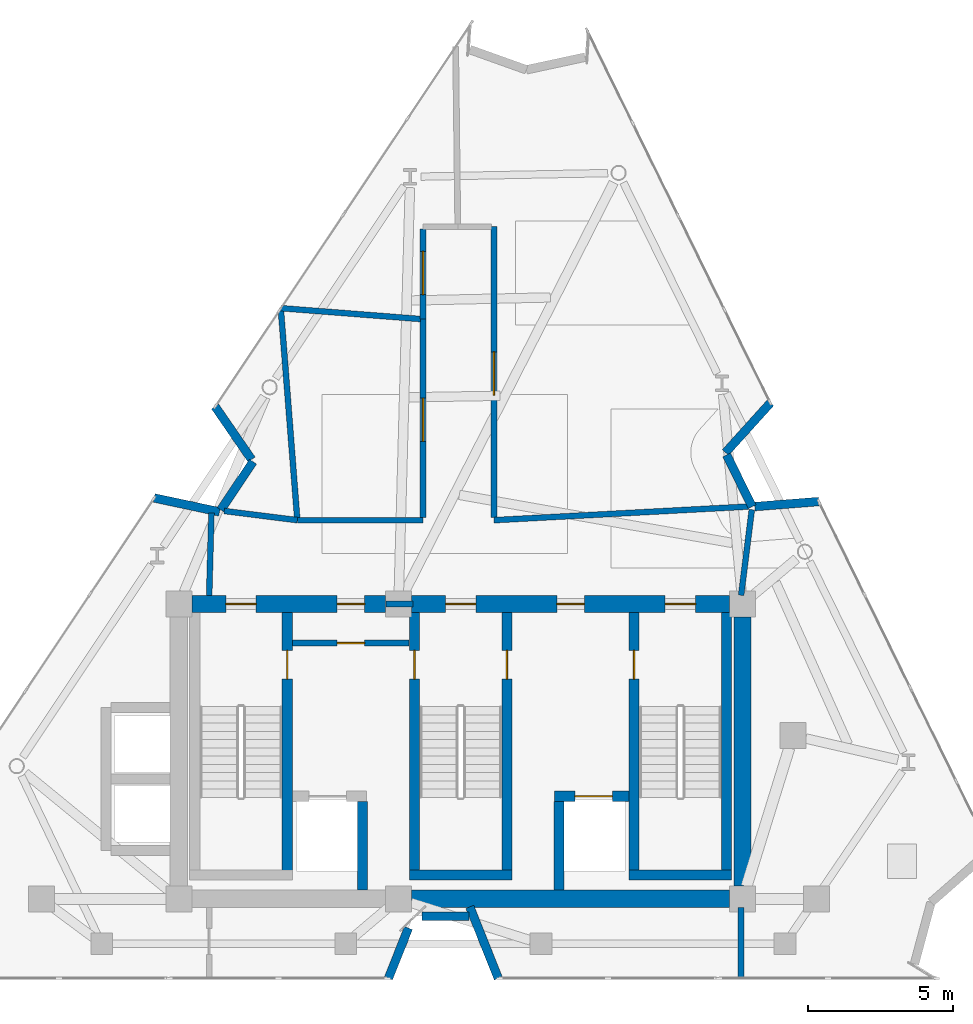
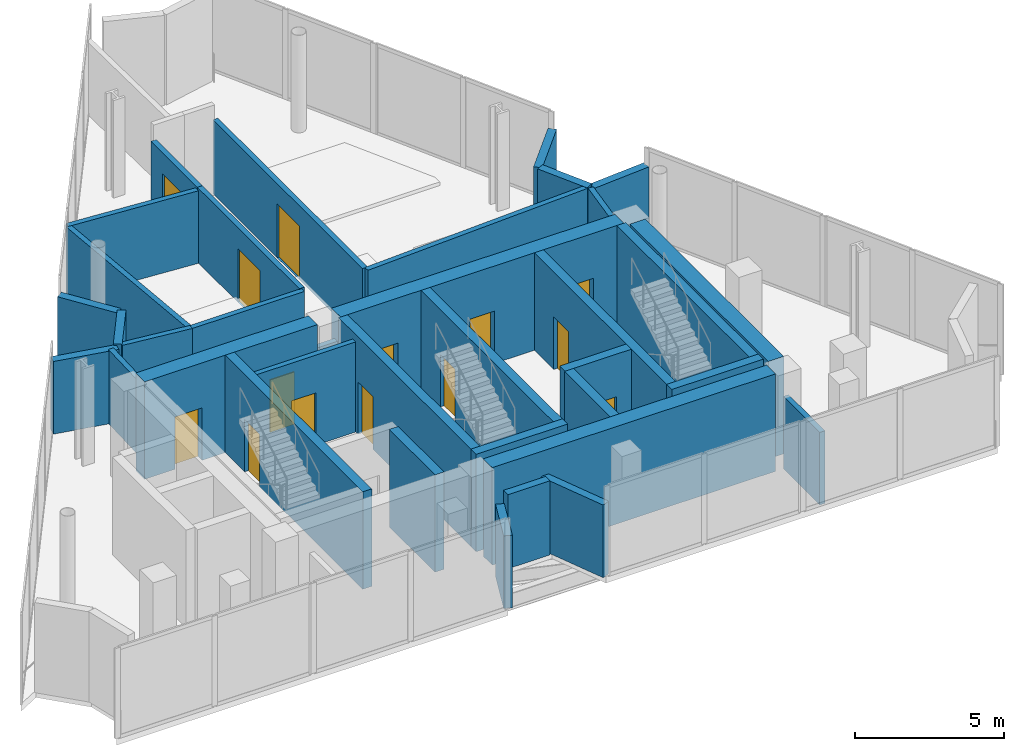
# One storey, part 6 of 9: 36 walls, 14 doors, 14 openings.
"""IFC4 building model written with IfcOpenShell, lengths in metres."""

from ifc_helpers import new_model, si_unit, direction, frame, frame_2d, origin, place, context, subcontext, project, spatial, rectangle, extrude, material, layer, layer_set, type_object, element, fill, save


model = new_model("IFC4")

# Units and contexts
model_context = context("Model", 3, precision=1e-05, world=origin(), true_north=direction((0.0, 1.0)))
body_context = subcontext(model_context, "Body", "Model", "MODEL_VIEW")
ifc_project = project(units=[si_unit("LENGTHUNIT", "METRE"), si_unit("AREAUNIT", "SQUARE_METRE"), si_unit("VOLUMEUNIT", "CUBIC_METRE"), si_unit("PLANEANGLEUNIT", "RADIAN"), si_unit("MASSUNIT", "GRAM", prefix="KILO")], contexts=[model_context])

# Site, building, storey
site_placement = place(None, origin())
site = spatial("IfcSite", under=ifc_project, at=site_placement, CompositionType="ELEMENT")
building_placement = place(site_placement, origin())
building = spatial("IfcBuilding", under=site, at=building_placement, Name="Almagre Mirador Tower", CompositionType="ELEMENT")
storey_placement = place(building_placement, frame((0.0, 0.0, 298.5)))
storey = spatial("IfcBuildingStorey", under=building, at=storey_placement, Name="L77", CompositionType="ELEMENT", Elevation=298.5)

# Walls
ifc_material_1 = material(Name="Precast concrete C50/60", Category="concrete")
ifc_layer_1 = layer(ifc_material_1, 0.300048828125)
ifc_layer_set_1 = layer_set([ifc_layer_1], Name="Precast concrete C50/60")
wall_type_1 = type_object("IfcWallType", Name="WAL-EXT-300", PredefinedType="SOLIDWALL", material=ifc_layer_set_1)
wall_1_placement = place(storey_placement, frame((26.695068359375, 18.419921875, 0.0), z_axis=(0.0, 0.0, 1.0), x_axis=(0.977979629917, -0.208700367675, 0.0)))
element("IfcWall", 1, at=wall_1_placement, inside=storey, type_object=wall_type_1, Name="L77 expressed almagre precast frame wall 01", PredefinedType="SOLIDWALL", context=body_context, shape_type="SweptSolid", body=[
    extrude(rectangle(XDim=2.31396484375, YDim=0.300048828125, at=frame_2d((1.156982421875, 0.0))), origin(), (0.0, 0.0, 1.0), 2.98193359375),
])
wall_2_placement = place(storey_placement, frame((29.00341796875, 18.005126953125, 0.0), z_axis=(0.0, 0.0, 1.0), x_axis=(0.555121061255, 0.831769563852, 0.0)))
element("IfcWall", 2, at=wall_2_placement, inside=storey, type_object=wall_type_1, Name="L77 expressed almagre precast frame wall 02", PredefinedType="SOLIDWALL", context=body_context, shape_type="SweptSolid", body=[
    extrude(rectangle(XDim=2.007568359375, YDim=0.300048828125, at=frame_2d((1.00390625, 0.0))), origin(), (0.0, 0.0, 1.0), 3.0400390625),
])
wall_3_placement = place(storey_placement, frame((30.06689453125, 19.7490234375, 0.0), z_axis=(0.0, 0.0, 1.0), x_axis=(-0.567478945793, 0.823387907418, 0.0)))
element("IfcWall", 3, at=wall_3_placement, inside=storey, type_object=wall_type_1, Name="L77 expressed almagre precast frame wall 03", PredefinedType="SOLIDWALL", context=body_context, shape_type="SweptSolid", body=[
    extrude(rectangle(XDim=2.223876953125, YDim=0.300048828125, at=frame_2d((1.11181640625, 0.0))), origin(), (0.0, 0.0, 1.0), 2.98193359375),
])
wall_4_placement = place(storey_placement, frame((48.011962890625, 21.705078125, 0.0), z_axis=(0.0, 0.0, 1.0), x_axis=(-0.670764114694, -0.741670750697, 0.0)))
element("IfcWall", 4, at=wall_4_placement, inside=storey, type_object=wall_type_1, Name="L77 expressed almagre precast frame wall 06", PredefinedType="SOLIDWALL", context=body_context, shape_type="SweptSolid", body=[
    extrude(rectangle(XDim=2.313720703125, YDim=0.300048828125, at=frame_2d((1.15673828125, 0.0))), origin(), (0.0, 0.0, 1.0), 2.98193359375),
])
wall_5_placement = place(storey_placement, frame((46.499755859375, 19.908203125, 0.0), z_axis=(0.0, 0.0, 1.0), x_axis=(0.441100522221, -0.897457703346, 0.0)))
element("IfcWall", 5, at=wall_5_placement, inside=storey, type_object=wall_type_1, Name="L77 expressed almagre precast frame wall 07", PredefinedType="SOLIDWALL", context=body_context, shape_type="SweptSolid", body=[
    extrude(rectangle(XDim=2.000244140625, YDim=0.300048828125, at=frame_2d((1.0, 0.0))), origin(), (0.0, 0.0, 1.0), 3.0400390625),
])
wall_6_placement = place(storey_placement, frame((47.4716796875, 18.1201171875, 0.0), z_axis=(0.0, 0.0, 1.0), x_axis=(0.99690404097, 0.078627813762, 0.0)))
element("IfcWall", 6, at=wall_6_placement, inside=storey, type_object=wall_type_1, Name="L77 expressed almagre precast frame wall 08", PredefinedType="SOLIDWALL", context=body_context, shape_type="SweptSolid", body=[
    extrude(rectangle(XDim=2.22314453125, YDim=0.300048828125, at=frame_2d((1.111572265625, 0.0))), origin(), (0.0, 0.0, 1.0), 2.98193359375),
])
wall_7_placement = place(storey_placement, frame((38.60009765625, 1.800048828125, 0.0), z_axis=(0.0, 0.0, 1.0), x_axis=(-0.369539725933, 0.929214932595, 0.0)))
element("IfcWall", 7, at=wall_7_placement, inside=storey, type_object=wall_type_1, Name="L77 expressed almagre precast frame wall 11", PredefinedType="SOLIDWALL", context=body_context, shape_type="SweptSolid", body=[
    extrude(rectangle(XDim=2.661865234375, YDim=0.300048828125, at=frame_2d((1.3310546875, 0.0))), origin(), (0.0, 0.0, 1.0), 2.98193359375),
])
wall_8_placement = place(storey_placement, frame((37.580078125, 3.949951171875, 0.0), z_axis=(0.0, 0.0, 1.0), x_axis=(-1.0, 0.0, 0.0)))
element("IfcWall", 8, at=wall_8_placement, inside=storey, type_object=wall_type_1, Name="L77 expressed almagre precast frame wall 12", PredefinedType="SOLIDWALL", context=body_context, shape_type="SweptSolid", body=[
    extrude(rectangle(XDim=1.6201171875, YDim=0.300048828125, at=frame_2d((0.81005859375, 0.0))), origin(), (0.0, 0.0, 1.0), 3.0400390625),
])
wall_9_placement = place(storey_placement, frame((35.49267578125, 3.5419921875, 0.0), z_axis=(0.0, 0.0, 1.0), x_axis=(-0.369481251729, -0.929238185085, 0.0)))
element("IfcWall", 9, at=wall_9_placement, inside=storey, type_object=wall_type_1, Name="L77 expressed almagre precast frame wall 13", PredefinedType="SOLIDWALL", context=body_context, shape_type="SweptSolid", body=[
    extrude(rectangle(XDim=1.87451171875, YDim=0.300048828125, at=frame_2d((0.937255859375, 0.0))), origin(), (0.0, 0.0, 1.0), 2.98193359375),
])
ifc_material_2 = material(Name="Gypsum acoustic stud partition", Category="other")
ifc_layer_2 = layer(ifc_material_2, 0.199951171875)
ifc_layer_set_2 = layer_set([ifc_layer_2], Name="Gypsum acoustic stud partition")
wall_type_2 = type_object("IfcWallType", Name="WAL-PRT-200-EI60", PredefinedType="PARTITIONING", material=ifc_layer_set_2)
wall_10_placement = place(storey_placement, frame((34.719970703125, 14.75, 0.0), z_axis=(0.0, 0.0, 1.0), x_axis=(1.0, 0.0, 0.0)))
element("IfcWall", 10, at=wall_10_placement, inside=storey, type_object=wall_type_2, Name="L77 core north closure wall", PredefinedType="PARTITIONING", context=body_context, shape_type="SweptSolid", body=[
    extrude(rectangle(XDim=0.93505859375, YDim=0.199951171875, at=frame_2d((0.467529296875, 0.0))), origin(), (0.0, 0.0, 1.0), 2.885009765625),
])

# Wall, opening, door
wall_11_placement = place(storey_placement, frame((31.47998046875, 13.39990234375, 0.0), z_axis=(0.0, 0.0, 1.0), x_axis=(1.0, 0.0, 0.0)))
wall_11 = element("IfcWall", 11, at=wall_11_placement, inside=storey, type_object=wall_type_2, Name="L77 FFL-1 north enclosure wall", PredefinedType="PARTITIONING", context=body_context, shape_type="SweptSolid", body=[
    extrude(rectangle(XDim=4.0400390625, YDim=0.199951171875, at=frame_2d((2.02001953125, 0.0))), origin(), (0.0, 0.0, 1.0), 3.699951171875),
])
opening_1_placement = place(wall_11_placement, frame((1.544921875, 0.0, 0.0)))
opening_1 = element("IfcOpeningElement", 12, at=opening_1_placement, cuts=wall_11, Name="Opening ID-02", PredefinedType="OPENING", context=body_context, shape_type="SweptSolid", body=[
    extrude(rectangle(XDim=0.949951171875, YDim=2.14990234375, at=frame_2d((0.47509765625, 1.074951171875))), frame((0.0, 0.110098, 0.0), z_axis=(0.0, -1.0, 0.0), x_axis=(1.0, 0.0, 0.0)), (0.0, 0.0, 1.0), 0.219951),
])
ifc_material_3 = material(Name="Fire-rated walnut timber", Category="wood")
door_type_1 = type_object("IfcDoorType", Name="DOR-FD60-950X2150", OperationType="NOTDEFINED", PredefinedType="DOOR", material=ifc_material_3)
door_1_placement = place(opening_1_placement, origin())
door_1 = element("IfcDoor", 13, at=door_1_placement, inside=storey, type_object=door_type_1, Name="DR-2282 L77 FFL-1 north smoke door", OperationType="SINGLE_SWING_RIGHT", OverallHeight=2.14990234375, OverallWidth=0.949951171875, PredefinedType="DOOR", context=body_context, shape_type="SweptSolid", body=[
    extrude(rectangle(XDim=0.949951171875, YDim=2.14990234375, at=frame_2d((0.47509765625, 1.074951171875))), frame((0.0, 0.02490234375, 0.0), z_axis=(0.0, -1.0, 0.0), x_axis=(1.0, 0.0, 0.0)), (0.0, 0.0, 1.0), 0.050048828125),
])
fill(opening_1, door_1)

# Wall
wall_12_placement = place(storey_placement, frame((31.64990234375, 17.64990234375, 0.0), z_axis=(0.0, 0.0, 1.0), x_axis=(1.0, 0.0, 0.0)))
element("IfcWall", 14, at=wall_12_placement, inside=storey, type_object=wall_type_2, Name="L77 interior partition 001", PredefinedType="PARTITIONING", context=body_context, shape_type="SweptSolid", body=[
    extrude(rectangle(XDim=4.35009765625, YDim=0.199951171875, at=frame_2d((2.175048828125, 0.0))), origin(), (0.0, 0.0, 1.0), 3.034912109375),
])

# Wall, opening, door
wall_13_placement = place(storey_placement, frame((36.0, 17.735107421875, 0.0), z_axis=(0.0, 0.0, 1.0), x_axis=(0.0, 1.0, 0.0)))
wall_13 = element("IfcWall", 15, at=wall_13_placement, inside=storey, type_object=wall_type_2, Name="L77 interior partition 002", PredefinedType="PARTITIONING", context=body_context, shape_type="SweptSolid", body=[
    extrude(rectangle(XDim=6.864990234375, YDim=0.199951171875, at=frame_2d((3.4326171875, 0.0))), origin(), (0.0, 0.0, 1.0), 3.06201171875),
])
opening_2_placement = place(wall_13_placement, frame((2.639892578125, 0.0, 0.0)))
opening_2 = element("IfcOpeningElement", 16, at=opening_2_placement, cuts=wall_13, Name="Opening ID-04", PredefinedType="OPENING", context=body_context, shape_type="SweptSolid", body=[
    extrude(rectangle(XDim=1.5, YDim=2.199951171875, at=frame_2d((0.75, 1.10009765625))), frame((0.0, 0.110098, 0.0), z_axis=(0.0, -1.0, 0.0), x_axis=(1.0, 0.0, 0.0)), (0.0, 0.0, 1.0), 0.219951),
])
ifc_material_4 = material(Name="Fire-rated hollow steel", Category="steel")
door_type_2 = type_object("IfcDoorType", Name="DOR-FD60-1500X2200", OperationType="DOUBLE_DOOR_SINGLE_SWING", PredefinedType="DOOR", material=ifc_material_4)
door_2_placement = place(opening_2_placement, origin())
door_2 = element("IfcDoor", 17, at=door_2_placement, inside=storey, type_object=door_type_2, Name="DR-2287 L77 interior door L77-KPLT1 to L77-KCOR", OperationType="DOUBLE_DOOR_SINGLE_SWING", OverallHeight=2.199951171875, OverallWidth=1.5, PredefinedType="DOOR", context=body_context, shape_type="SweptSolid", body=[
    extrude(rectangle(XDim=1.5, YDim=2.199951171875, at=frame_2d((0.75, 1.10009765625))), frame((0.0, 0.02490234375, 0.0), z_axis=(0.0, -1.0, 0.0), x_axis=(1.0, 0.0, 0.0)), (0.0, 0.0, 1.0), 0.050048828125),
])
fill(opening_2, door_2)

# Walls
wall_14_placement = place(storey_placement, frame((35.915283203125, 24.606689453125, 0.0), z_axis=(0.0, 0.0, 1.0), x_axis=(-0.996990518467, 0.077523584063, 0.0)))
element("IfcWall", 18, at=wall_14_placement, inside=storey, type_object=wall_type_2, Name="L77 interior partition 003", PredefinedType="PARTITIONING", context=body_context, shape_type="SweptSolid", body=[
    extrude(rectangle(XDim=4.85302734375, YDim=0.199951171875, at=frame_2d((2.426513671875, 0.0))), origin(), (0.0, 0.0, 1.0), 2.97705078125),
])
wall_15_placement = place(storey_placement, frame((31.08349609375, 24.898193359375, 0.0), z_axis=(0.0, 0.0, 1.0), x_axis=(0.077909829575, -0.996960409673, 0.0)))
element("IfcWall", 19, at=wall_15_placement, inside=storey, type_object=wall_type_2, Name="L77 interior partition 004", PredefinedType="PARTITIONING", context=body_context, shape_type="SweptSolid", body=[
    extrude(rectangle(XDim=7.185302734375, YDim=0.199951171875, at=frame_2d((3.5927734375, 0.0))), origin(), (0.0, 0.0, 1.0), 2.97705078125),
])
wall_16_placement = place(storey_placement, frame((47.0, 1.800048828125, 0.0), z_axis=(0.0, 0.0, 1.0), x_axis=(0.0, 1.0, 0.0)))
element("IfcWall", 20, at=wall_16_placement, inside=storey, type_object=wall_type_2, Name="L77 interior partition 006", PredefinedType="PARTITIONING", context=body_context, shape_type="SweptSolid", body=[
    extrude(rectangle(XDim=2.449951171875, YDim=0.199951171875, at=frame_2d((1.22509765625, 0.0))), origin(), (0.0, 0.0, 1.0), 2.97705078125),
])
wall_17_placement = place(storey_placement, frame((31.64990234375, 17.64990234375, 0.0), z_axis=(0.0, 0.0, 1.0), x_axis=(-0.992233618203, 0.124388290875, 0.0)))
element("IfcWall", 21, at=wall_17_placement, inside=storey, type_object=wall_type_2, Name="L77 interior partition 007", PredefinedType="PARTITIONING", context=body_context, shape_type="SweptSolid", body=[
    extrude(rectangle(XDim=2.549560546875, YDim=0.199951171875, at=frame_2d((1.27490234375, 0.0))), origin(), (0.0, 0.0, 1.0), 3.034912109375),
])
wall_18_placement = place(storey_placement, frame((28.677978515625, 17.89794921875, 0.0), z_axis=(0.0, 0.0, 1.0), x_axis=(-0.027336543978, -0.999626286851, 0.0)))
element("IfcWall", 22, at=wall_18_placement, inside=storey, type_object=wall_type_2, Name="L77 interior partition 008", PredefinedType="PARTITIONING", context=body_context, shape_type="SweptSolid", body=[
    extrude(rectangle(XDim=2.848876953125, YDim=0.199951171875, at=frame_2d((1.42431640625, 0.0))), origin(), (0.0, 0.0, 1.0), 3.034912109375),
])

# Wall, opening, door
wall_19_placement = place(storey_placement, frame((36.0, 27.715087890625, 0.0), z_axis=(0.0, 0.0, 1.0), x_axis=(0.0, -1.0, 0.0)))
wall_19 = element("IfcWall", 23, at=wall_19_placement, inside=storey, type_object=wall_type_2, Name="L77 interior partition 010", PredefinedType="PARTITIONING", context=body_context, shape_type="SweptSolid", body=[
    extrude(rectangle(XDim=3.114990234375, YDim=0.199951171875, at=frame_2d((1.5576171875, 0.0))), origin(), (0.0, 0.0, 1.0), 3.06201171875),
])
opening_3_placement = place(wall_19_placement, frame((0.764892578125, 0.0, 0.0)))
opening_3 = element("IfcOpeningElement", 24, at=opening_3_placement, cuts=wall_19, Name="Opening ID-04", PredefinedType="OPENING", context=body_context, shape_type="SweptSolid", body=[
    extrude(rectangle(XDim=1.5, YDim=2.199951171875, at=frame_2d((0.75, 1.10009765625))), frame((0.0, 0.110098, 0.0), z_axis=(0.0, -1.0, 0.0), x_axis=(1.0, 0.0, 0.0)), (0.0, 0.0, 1.0), 0.219951),
])
door_3_placement = place(opening_3_placement, origin())
door_3 = element("IfcDoor", 25, at=door_3_placement, inside=storey, type_object=door_type_2, Name="DR-2288 L77 interior door L77-KCOR to L77-KPLT3", OperationType="DOUBLE_DOOR_SINGLE_SWING", OverallHeight=2.199951171875, OverallWidth=1.5, PredefinedType="DOOR", context=body_context, shape_type="SweptSolid", body=[
    extrude(rectangle(XDim=1.5, YDim=2.199951171875, at=frame_2d((0.75, 1.10009765625))), frame((0.0, 0.02490234375, 0.0), z_axis=(0.0, -1.0, 0.0), x_axis=(1.0, 0.0, 0.0)), (0.0, 0.0, 1.0), 0.050048828125),
])
fill(opening_3, door_3)

# Walls
wall_20_placement = place(storey_placement, frame((47.0, 15.050048828125, 0.0), z_axis=(0.0, 0.0, 1.0), x_axis=(0.123914013707, 0.992292959366, 0.0)))
element("IfcWall", 26, at=wall_20_placement, inside=storey, type_object=wall_type_2, Name="L77 interior partition 011", PredefinedType="PARTITIONING", context=body_context, shape_type="SweptSolid", body=[
    extrude(rectangle(XDim=2.98681640625, YDim=0.199951171875, at=frame_2d((1.493408203125, 0.0))), origin(), (0.0, 0.0, 1.0), 3.034912109375),
])
wall_21_placement = place(storey_placement, frame((47.248046875, 18.1201171875, 0.0), z_axis=(0.0, 0.0, 1.0), x_axis=(-0.998574864544, -0.05336890388, 0.0)))
element("IfcWall", 27, at=wall_21_placement, inside=storey, type_object=wall_type_2, Name="L77 interior partition 012", PredefinedType="PARTITIONING", context=body_context, shape_type="SweptSolid", body=[
    extrude(rectangle(XDim=8.810546875, YDim=0.199951171875, at=frame_2d((4.4052734375, 0.0))), origin(), (0.0, 0.0, 1.0), 3.034912109375),
])

# Wall, opening, door
wall_22_placement = place(storey_placement, frame((38.449951171875, 17.735107421875, 0.0), z_axis=(0.0, 0.0, 1.0), x_axis=(0.0, 1.0, 0.0)))
wall_22 = element("IfcWall", 28, at=wall_22_placement, inside=storey, type_object=wall_type_2, Name="L77 interior partition 013", PredefinedType="PARTITIONING", context=body_context, shape_type="SweptSolid", body=[
    extrude(rectangle(XDim=10.06494140625, YDim=0.199951171875, at=frame_2d((5.032470703125, 0.0))), origin(), (0.0, 0.0, 1.0), 3.034912109375),
])
opening_4_placement = place(wall_22_placement, frame((4.239990234375, 0.0, 0.0)))
opening_4 = element("IfcOpeningElement", 29, at=opening_4_placement, cuts=wall_22, Name="Opening ID-04", PredefinedType="OPENING", context=body_context, shape_type="SweptSolid", body=[
    extrude(rectangle(XDim=1.5, YDim=2.199951171875, at=frame_2d((0.75, 1.10009765625))), frame((0.0, 0.110098, 0.0), z_axis=(0.0, -1.0, 0.0), x_axis=(1.0, 0.0, 0.0)), (0.0, 0.0, 1.0), 0.219951),
])
door_4_placement = place(opening_4_placement, origin())
door_4 = element("IfcDoor", 30, at=door_4_placement, inside=storey, type_object=door_type_2, Name="DR-2289 L77 interior door L77-KCOR to L77-KPLT4", OperationType="DOUBLE_DOOR_SINGLE_SWING", OverallHeight=2.199951171875, OverallWidth=1.5, PredefinedType="DOOR", context=body_context, shape_type="SweptSolid", body=[
    extrude(rectangle(XDim=1.5, YDim=2.199951171875, at=frame_2d((0.75, 1.10009765625))), frame((0.0, 0.02490234375, 0.0), z_axis=(0.0, -1.0, 0.0), x_axis=(1.0, 0.0, 0.0)), (0.0, 0.0, 1.0), 0.050048828125),
])
fill(opening_4, door_4)

ifc_material_5 = material(Name="Concrete C60/75", Category="concrete")
ifc_layer_3 = layer(ifc_material_5, 0.35009765625)
ifc_layer_set_3 = layer_set([ifc_layer_3], Name="Concrete C60/75")
wall_type_3 = type_object("IfcWallType", Name="WAL-SHF-350", PredefinedType="SOLIDWALL", material=ifc_layer_set_3)
wall_23_placement = place(storey_placement, frame((31.300048828125, 5.199951171875, 0.0), z_axis=(0.0, 0.0, 1.0), x_axis=(0.0, 1.0, 0.0)))
wall_23 = element("IfcWall", 31, at=wall_23_placement, inside=storey, type_object=wall_type_3, Name="L77 shaft wall ST1-E", PredefinedType="SOLIDWALL", context=body_context, shape_type="SweptSolid", body=[
    extrude(rectangle(XDim=9.25, YDim=0.35009765625, at=frame_2d((4.625, 0.0))), origin(), (0.0, 0.0, 1.0), 4.0),
])
opening_5_placement = place(wall_23_placement, frame((6.949951171875, 0.0, 0.0)))
opening_5 = element("IfcOpeningElement", 32, at=opening_5_placement, cuts=wall_23, Name="Opening FD-01", PredefinedType="OPENING", context=body_context, shape_type="SweptSolid", body=[
    extrude(rectangle(XDim=1.0, YDim=2.14990234375, at=frame_2d((0.5, 1.074951171875))), frame((0.0, 0.185049, 0.0), z_axis=(0.0, -1.0, 0.0), x_axis=(1.0, 0.0, 0.0)), (0.0, 0.0, 1.0), 0.370098),
])
ifc_material_6 = material(Name="Fire-rated hollow steel", Category="steel")
door_type_3 = type_object("IfcDoorType", Name="DOR-FFL-1000X2150", OperationType="NOTDEFINED", PredefinedType="DOOR", material=ifc_material_6)
door_5_placement = place(opening_5_placement, origin())
door_5 = element("IfcDoor", 33, at=door_5_placement, inside=storey, type_object=door_type_3, Name="DR-2283 L77 FFL1-ST1 smokeproof door", OperationType="SINGLE_SWING_RIGHT", OverallHeight=2.14990234375, OverallWidth=1.0, PredefinedType="DOOR", context=body_context, shape_type="SweptSolid", body=[
    extrude(rectangle(XDim=1.0, YDim=2.14990234375, at=frame_2d((0.5, 1.074951171875))), frame((0.0, 0.02490234375, 0.0), z_axis=(0.0, -1.0, 0.0), x_axis=(1.0, 0.0, 0.0)), (0.0, 0.0, 1.0), 0.050048828125),
])
fill(opening_5, door_5)

wall_24_placement = place(storey_placement, frame((35.699951171875, 5.199951171875, 0.0), z_axis=(0.0, 0.0, 1.0), x_axis=(0.0, 1.0, 0.0)))
wall_24 = element("IfcWall", 34, at=wall_24_placement, inside=storey, type_object=wall_type_3, Name="L77 shaft wall ST2-W", PredefinedType="SOLIDWALL", context=body_context, shape_type="SweptSolid", body=[
    extrude(rectangle(XDim=9.25, YDim=0.35009765625, at=frame_2d((4.625, 0.0))), origin(), (0.0, 0.0, 1.0), 4.0),
])
opening_6_placement = place(wall_24_placement, frame((6.949951171875, 0.0, 0.0)))
opening_6 = element("IfcOpeningElement", 35, at=opening_6_placement, cuts=wall_24, Name="Opening FD-01", PredefinedType="OPENING", context=body_context, shape_type="SweptSolid", body=[
    extrude(rectangle(XDim=1.0, YDim=2.14990234375, at=frame_2d((0.5, 1.074951171875))), frame((0.0, 0.185049, 0.0), z_axis=(0.0, -1.0, 0.0), x_axis=(1.0, 0.0, 0.0)), (0.0, 0.0, 1.0), 0.370098),
])
door_6_placement = place(opening_6_placement, origin())
door_6 = element("IfcDoor", 36, at=door_6_placement, inside=storey, type_object=door_type_3, Name="DR-2284 L77 FFL1-ST2 smokeproof door", OperationType="SINGLE_SWING_LEFT", OverallHeight=2.14990234375, OverallWidth=1.0, PredefinedType="DOOR", context=body_context, shape_type="SweptSolid", body=[
    extrude(rectangle(XDim=1.0, YDim=2.14990234375, at=frame_2d((0.5, 1.074951171875))), frame((0.0, 0.02490234375, 0.0), z_axis=(0.0, -1.0, 0.0), x_axis=(1.0, 0.0, 0.0)), (0.0, 0.0, 1.0), 0.050048828125),
])
fill(opening_6, door_6)

wall_25_placement = place(storey_placement, frame((38.89990234375, 5.199951171875, 0.0), z_axis=(0.0, 0.0, 1.0), x_axis=(0.0, 1.0, 0.0)))
wall_25 = element("IfcWall", 37, at=wall_25_placement, inside=storey, type_object=wall_type_3, Name="L77 shaft wall ST2-E", PredefinedType="SOLIDWALL", context=body_context, shape_type="SweptSolid", body=[
    extrude(rectangle(XDim=9.25, YDim=0.35009765625, at=frame_2d((4.625, 0.0))), origin(), (0.0, 0.0, 1.0), 4.0),
])
opening_7_placement = place(wall_25_placement, frame((6.949951171875, 0.0, 0.0)))
opening_7 = element("IfcOpeningElement", 38, at=opening_7_placement, cuts=wall_25, Name="Opening FD-01", PredefinedType="OPENING", context=body_context, shape_type="SweptSolid", body=[
    extrude(rectangle(XDim=1.0, YDim=2.14990234375, at=frame_2d((0.5, 1.074951171875))), frame((0.0, 0.185049, 0.0), z_axis=(0.0, -1.0, 0.0), x_axis=(1.0, 0.0, 0.0)), (0.0, 0.0, 1.0), 0.370098),
])
door_7_placement = place(opening_7_placement, origin())
door_7 = element("IfcDoor", 39, at=door_7_placement, inside=storey, type_object=door_type_3, Name="DR-2285 L77 FFL2-ST2 smokeproof door", OperationType="SINGLE_SWING_RIGHT", OverallHeight=2.14990234375, OverallWidth=1.0, PredefinedType="DOOR", context=body_context, shape_type="SweptSolid", body=[
    extrude(rectangle(XDim=1.0, YDim=2.14990234375, at=frame_2d((0.5, 1.074951171875))), frame((0.0, 0.02490234375, 0.0), z_axis=(0.0, -1.0, 0.0), x_axis=(1.0, 0.0, 0.0)), (0.0, 0.0, 1.0), 0.050048828125),
])
fill(opening_7, door_7)

# Wall
wall_26_placement = place(storey_placement, frame((35.52490234375, 5.375, 0.0), z_axis=(0.0, 0.0, 1.0), x_axis=(1.0, 0.0, 0.0)))
element("IfcWall", 40, at=wall_26_placement, inside=storey, type_object=wall_type_3, Name="L77 shaft wall ST2-S", PredefinedType="SOLIDWALL", context=body_context, shape_type="SweptSolid", body=[
    extrude(rectangle(XDim=3.550048828125, YDim=0.35009765625, at=frame_2d((1.77490234375, 0.0))), origin(), (0.0, 0.0, 1.0), 4.0),
])

# Wall, opening, door
wall_27_placement = place(storey_placement, frame((43.300048828125, 5.199951171875, 0.0), z_axis=(0.0, 0.0, 1.0), x_axis=(0.0, 1.0, 0.0)))
wall_27 = element("IfcWall", 41, at=wall_27_placement, inside=storey, type_object=wall_type_3, Name="L77 shaft wall ST3-W", PredefinedType="SOLIDWALL", context=body_context, shape_type="SweptSolid", body=[
    extrude(rectangle(XDim=9.25, YDim=0.35009765625, at=frame_2d((4.625, 0.0))), origin(), (0.0, 0.0, 1.0), 4.0),
])
opening_8_placement = place(wall_27_placement, frame((6.949951171875, 0.0, 0.0)))
opening_8 = element("IfcOpeningElement", 42, at=opening_8_placement, cuts=wall_27, Name="Opening FD-01", PredefinedType="OPENING", context=body_context, shape_type="SweptSolid", body=[
    extrude(rectangle(XDim=1.0, YDim=2.14990234375, at=frame_2d((0.5, 1.074951171875))), frame((0.0, 0.185049, 0.0), z_axis=(0.0, -1.0, 0.0), x_axis=(1.0, 0.0, 0.0)), (0.0, 0.0, 1.0), 0.370098),
])
door_8_placement = place(opening_8_placement, origin())
door_8 = element("IfcDoor", 43, at=door_8_placement, inside=storey, type_object=door_type_3, Name="DR-2286 L77 FFL2-ST3 smokeproof door", OperationType="SINGLE_SWING_LEFT", OverallHeight=2.14990234375, OverallWidth=1.0, PredefinedType="DOOR", context=body_context, shape_type="SweptSolid", body=[
    extrude(rectangle(XDim=1.0, YDim=2.14990234375, at=frame_2d((0.5, 1.074951171875))), frame((0.0, 0.02490234375, 0.0), z_axis=(0.0, -1.0, 0.0), x_axis=(1.0, 0.0, 0.0)), (0.0, 0.0, 1.0), 0.050048828125),
])
fill(opening_8, door_8)

# Walls
wall_28_placement = place(storey_placement, frame((46.5, 5.199951171875, 0.0), z_axis=(0.0, 0.0, 1.0), x_axis=(0.0, 1.0, 0.0)))
element("IfcWall", 44, at=wall_28_placement, inside=storey, type_object=wall_type_3, Name="L77 shaft wall ST3-E", PredefinedType="SOLIDWALL", context=body_context, shape_type="SweptSolid", body=[
    extrude(rectangle(XDim=9.25, YDim=0.35009765625, at=frame_2d((4.625, 0.0))), origin(), (0.0, 0.0, 1.0), 4.0),
])
wall_29_placement = place(storey_placement, frame((43.125, 5.375, 0.0), z_axis=(0.0, 0.0, 1.0), x_axis=(1.0, 0.0, 0.0)))
element("IfcWall", 45, at=wall_29_placement, inside=storey, type_object=wall_type_3, Name="L77 shaft wall ST3-S", PredefinedType="SOLIDWALL", context=body_context, shape_type="SweptSolid", body=[
    extrude(rectangle(XDim=3.550048828125, YDim=0.35009765625, at=frame_2d((1.77490234375, 0.0))), origin(), (0.0, 0.0, 1.0), 4.0),
])

# Wall, opening, door
wall_30_placement = place(storey_placement, frame((40.550048828125, 8.10009765625, 0.0), z_axis=(0.0, 0.0, 1.0), x_axis=(1.0, 0.0, 0.0)))
wall_30 = element("IfcWall", 46, at=wall_30_placement, inside=storey, type_object=wall_type_3, Name="L77 shaft wall FSAE2-N", PredefinedType="SOLIDWALL", context=body_context, shape_type="SweptSolid", body=[
    extrude(rectangle(XDim=2.574951171875, YDim=0.35009765625, at=frame_2d((1.28759765625, 0.0))), origin(), (0.0, 0.0, 1.0), 4.0),
])
opening_9_placement = place(wall_30_placement, frame((0.699951171875, 0.0, 0.0)))
opening_9 = element("IfcOpeningElement", 47, at=opening_9_placement, cuts=wall_30, Name="Opening LD-03", PredefinedType="OPENING", context=body_context, shape_type="SweptSolid", body=[
    extrude(rectangle(XDim=1.300048828125, YDim=2.25, at=frame_2d((0.64990234375, 1.125))), frame((0.0, 0.185049, 0.0), z_axis=(0.0, -1.0, 0.0), x_axis=(1.0, 0.0, 0.0)), (0.0, 0.0, 1.0), 0.370098),
])
ifc_material_7 = material(Name="Hollow stainless steel", Category="steel")
door_type_4 = type_object("IfcDoorType", Name="DOR-LD-1300X2250", OperationType="DOUBLE_DOOR_SLIDING", PredefinedType="DOOR", material=ifc_material_7)
door_9_placement = place(opening_9_placement, origin())
door_9 = element("IfcDoor", 48, at=door_9_placement, inside=storey, type_object=door_type_4, Name="DR-2292 L77 FSAE-2 lift landing door", OperationType="DOUBLE_DOOR_SLIDING", OverallHeight=2.25, OverallWidth=1.300048828125, PredefinedType="DOOR", context=body_context, shape_type="SweptSolid", body=[
    extrude(rectangle(XDim=1.300048828125, YDim=2.25, at=frame_2d((0.64990234375, 1.125))), frame((0.0, 0.02490234375, 0.0), z_axis=(0.0, -1.0, 0.0), x_axis=(1.0, 0.0, 0.0)), (0.0, 0.0, 1.0), 0.050048828125),
])
fill(opening_9, door_9)

# Walls
for number, where, z_axis, x_axis, name in (
    (49, (33.89990234375, 4.85009765625, 0.0), (0.0, 0.0, 1.0), (0.0, 1.0, 0.0), "L77 shaft wall FSAE1-E"),
    (50, (40.699951171875, 4.85009765625, 0.0), (0.0, 0.0, 1.0), (0.0, 1.0, 0.0), "L77 shaft wall FSAE2-W"),
):
    element("IfcWall", number, at=place(storey_placement, frame(where, z_axis=z_axis, x_axis=x_axis)), inside=storey, type_object=wall_type_3, Name=name, PredefinedType="SOLIDWALL", context=body_context, shape_type="SweptSolid", body=[
        extrude(rectangle(XDim=3.074951171875, YDim=0.35009765625, at=frame_2d((1.53759765625, 0.0))), origin(), (0.0, 0.0, 1.0), 4.0),
    ])
ifc_material_8 = material(Name="Concrete C60/75", Category="concrete")
ifc_layer_4 = layer(ifc_material_8, 0.60009765625)
ifc_layer_set_4 = layer_set([ifc_layer_4], Name="Concrete C60/75")
wall_type_4 = type_object("IfcWallType", Name="WAL-SHR-600", PredefinedType="SHEAR", material=ifc_layer_set_4)
wall_31_placement = place(storey_placement, frame((35.60009765625, 4.550048828125, 0.0), z_axis=(0.0, 0.0, 1.0), x_axis=(1.0, 0.0, 0.0)))
element("IfcWall", 51, at=wall_31_placement, inside=storey, type_object=wall_type_4, Name="L77 core shear wall S2", PredefinedType="SHEAR", context=body_context, shape_type="SweptSolid", body=[
    extrude(rectangle(XDim=11.0, YDim=0.60009765625, at=frame_2d((5.5, 0.0))), origin(), (0.0, 0.0, 1.0), 4.0),
])

# Wall, openings, doors
wall_32_placement = place(storey_placement, frame((28.0, 14.75, 0.0), z_axis=(0.0, 0.0, 1.0), x_axis=(1.0, 0.0, 0.0)))
wall_32 = element("IfcWall", 52, at=wall_32_placement, inside=storey, type_object=wall_type_4, Name="L77 core shear wall N1", PredefinedType="SHEAR", context=body_context, shape_type="SweptSolid", body=[
    extrude(rectangle(XDim=6.699951171875, YDim=0.60009765625, at=frame_2d((3.35009765625, 0.0))), origin(), (0.0, 0.0, 1.0), 4.0),
])
opening_10_placement = place(wall_32_placement, frame((1.175048828125, 0.0, 0.0)))
opening_10 = element("IfcOpeningElement", 53, at=opening_10_placement, cuts=wall_32, Name="Opening SD-01", PredefinedType="OPENING", context=body_context, shape_type="SweptSolid", body=[
    extrude(rectangle(XDim=1.050048828125, YDim=2.14990234375, at=frame_2d((0.52490234375, 1.074951171875))), frame((0.0, 0.310049, 0.0), z_axis=(0.0, -1.0, 0.0), x_axis=(1.0, 0.0, 0.0)), (0.0, 0.0, 1.0), 0.620098),
])
opening_11_placement = place(wall_32_placement, frame((5.02490234375, 0.0, 0.0)))
opening_11 = element("IfcOpeningElement", 54, at=opening_11_placement, cuts=wall_32, Name="Opening FD-02", PredefinedType="OPENING", context=body_context, shape_type="SweptSolid", body=[
    extrude(rectangle(XDim=0.949951171875, YDim=2.14990234375, at=frame_2d((0.47509765625, 1.074951171875))), frame((0.0, 0.310049, 0.0), z_axis=(0.0, -1.0, 0.0), x_axis=(1.0, 0.0, 0.0)), (0.0, 0.0, 1.0), 0.620098),
])
ifc_material_9 = material(Name="Fire-rated hollow steel", Category="steel")
door_type_5 = type_object("IfcDoorType", Name="DOR-FD90-950X2150", OperationType="NOTDEFINED", PredefinedType="DOOR", material=ifc_material_9)
door_10_placement = place(opening_11_placement, origin())
door_10 = element("IfcDoor", 55, at=door_10_placement, inside=storey, type_object=door_type_5, Name="DR-2281 L77 core equipment room north door", OperationType="SINGLE_SWING_LEFT", OverallHeight=2.14990234375, OverallWidth=0.949951171875, PredefinedType="DOOR", context=body_context, shape_type="SweptSolid", body=[
    extrude(rectangle(XDim=0.949951171875, YDim=2.14990234375, at=frame_2d((0.47509765625, 1.074951171875))), frame((0.0, 0.02490234375, 0.0), z_axis=(0.0, -1.0, 0.0), x_axis=(1.0, 0.0, 0.0)), (0.0, 0.0, 1.0), 0.050048828125),
])
fill(opening_11, door_10)
ifc_material_10 = material(Name="Fire-rated hollow steel", Category="steel")
door_type_6 = type_object("IfcDoorType", Name="DOR-ST-1050X2150", OperationType="NOTDEFINED", PredefinedType="DOOR", material=ifc_material_10)
door_11_placement = place(opening_10_placement, origin())
door_11 = element("IfcDoor", 56, at=door_11_placement, inside=storey, type_object=door_type_6, Name="DR-2293 L77 protected exit stair ST-1 door", OperationType="SINGLE_SWING_LEFT", OverallHeight=2.14990234375, OverallWidth=1.050048828125, PredefinedType="DOOR", context=body_context, shape_type="SweptSolid", body=[
    extrude(rectangle(XDim=1.050048828125, YDim=2.14990234375, at=frame_2d((0.52490234375, 1.074951171875))), frame((0.0, 0.02490234375, 0.0), z_axis=(0.0, -1.0, 0.0), x_axis=(1.0, 0.0, 0.0)), (0.0, 0.0, 1.0), 0.050048828125),
])
fill(opening_10, door_11)

wall_33_placement = place(storey_placement, frame((35.60009765625, 14.75, 0.0), z_axis=(0.0, 0.0, 1.0), x_axis=(1.0, 0.0, 0.0)))
wall_33 = element("IfcWall", 57, at=wall_33_placement, inside=storey, type_object=wall_type_4, Name="L77 core shear wall N2", PredefinedType="SHEAR", context=body_context, shape_type="SweptSolid", body=[
    extrude(rectangle(XDim=11.0, YDim=0.60009765625, at=frame_2d((5.5, 0.0))), origin(), (0.0, 0.0, 1.0), 4.0),
])
opening_12_placement = place(wall_33_placement, frame((1.175048828125, 0.0, 0.0)))
opening_12 = element("IfcOpeningElement", 58, at=opening_12_placement, cuts=wall_33, Name="Opening SD-01", PredefinedType="OPENING", context=body_context, shape_type="SweptSolid", body=[
    extrude(rectangle(XDim=1.050048828125, YDim=2.14990234375, at=frame_2d((0.52490234375, 1.074951171875))), frame((0.0, 0.310049, 0.0), z_axis=(0.0, -1.0, 0.0), x_axis=(1.0, 0.0, 0.0)), (0.0, 0.0, 1.0), 0.620098),
])
opening_13_placement = place(wall_33_placement, frame((8.77490234375, 0.0, 0.0)))
opening_13 = element("IfcOpeningElement", 59, at=opening_13_placement, cuts=wall_33, Name="Opening SD-01", PredefinedType="OPENING", context=body_context, shape_type="SweptSolid", body=[
    extrude(rectangle(XDim=1.050048828125, YDim=2.14990234375, at=frame_2d((0.52490234375, 1.074951171875))), frame((0.0, 0.310049, 0.0), z_axis=(0.0, -1.0, 0.0), x_axis=(1.0, 0.0, 0.0)), (0.0, 0.0, 1.0), 0.620098),
])
opening_14_placement = place(wall_33_placement, frame((5.02490234375, 0.0, 0.0)))
opening_14 = element("IfcOpeningElement", 60, at=opening_14_placement, cuts=wall_33, Name="Opening FD-02", PredefinedType="OPENING", context=body_context, shape_type="SweptSolid", body=[
    extrude(rectangle(XDim=0.949951171875, YDim=2.14990234375, at=frame_2d((0.47509765625, 1.074951171875))), frame((0.0, 0.310049, 0.0), z_axis=(0.0, -1.0, 0.0), x_axis=(1.0, 0.0, 0.0)), (0.0, 0.0, 1.0), 0.620098),
])
door_12_placement = place(opening_14_placement, origin())
door_12 = element("IfcDoor", 61, at=door_12_placement, inside=storey, type_object=door_type_5, Name="DR-2280 L77 high-zone core room north door", OperationType="SINGLE_SWING_RIGHT", OverallHeight=2.14990234375, OverallWidth=0.949951171875, PredefinedType="DOOR", context=body_context, shape_type="SweptSolid", body=[
    extrude(rectangle(XDim=0.949951171875, YDim=2.14990234375, at=frame_2d((0.47509765625, 1.074951171875))), frame((0.0, 0.02490234375, 0.0), z_axis=(0.0, -1.0, 0.0), x_axis=(1.0, 0.0, 0.0)), (0.0, 0.0, 1.0), 0.050048828125),
])
fill(opening_14, door_12)
door_13_placement = place(opening_12_placement, origin())
door_13 = element("IfcDoor", 62, at=door_13_placement, inside=storey, type_object=door_type_6, Name="DR-2294 L77 protected exit stair ST-2 door", OperationType="SINGLE_SWING_RIGHT", OverallHeight=2.14990234375, OverallWidth=1.050048828125, PredefinedType="DOOR", context=body_context, shape_type="SweptSolid", body=[
    extrude(rectangle(XDim=1.050048828125, YDim=2.14990234375, at=frame_2d((0.52490234375, 1.074951171875))), frame((0.0, 0.02490234375, 0.0), z_axis=(0.0, -1.0, 0.0), x_axis=(1.0, 0.0, 0.0)), (0.0, 0.0, 1.0), 0.050048828125),
])
fill(opening_12, door_13)
door_14_placement = place(opening_13_placement, origin())
door_14 = element("IfcDoor", 63, at=door_14_placement, inside=storey, type_object=door_type_6, Name="DR-2295 L77 protected exit stair ST-3 door", OperationType="SINGLE_SWING_LEFT", OverallHeight=2.14990234375, OverallWidth=1.050048828125, PredefinedType="DOOR", context=body_context, shape_type="SweptSolid", body=[
    extrude(rectangle(XDim=1.050048828125, YDim=2.14990234375, at=frame_2d((0.52490234375, 1.074951171875))), frame((0.0, 0.02490234375, 0.0), z_axis=(0.0, -1.0, 0.0), x_axis=(1.0, 0.0, 0.0)), (0.0, 0.0, 1.0), 0.050048828125),
])
fill(opening_13, door_14)

# Wall
wall_34_placement = place(storey_placement, frame((47.050048828125, 5.0, 0.0), z_axis=(0.0, 0.0, 1.0), x_axis=(0.0, 1.0, 0.0)))
element("IfcWall", 64, at=wall_34_placement, inside=storey, type_object=wall_type_4, Name="L77 core shear wall E1", PredefinedType="SHEAR", context=body_context, shape_type="SweptSolid", body=[
    extrude(rectangle(XDim=9.300048828125, YDim=0.60009765625, at=frame_2d((4.64990234375, 0.0))), origin(), (0.0, 0.0, 1.0), 4.0),
])

save(model, "model.ifc")
